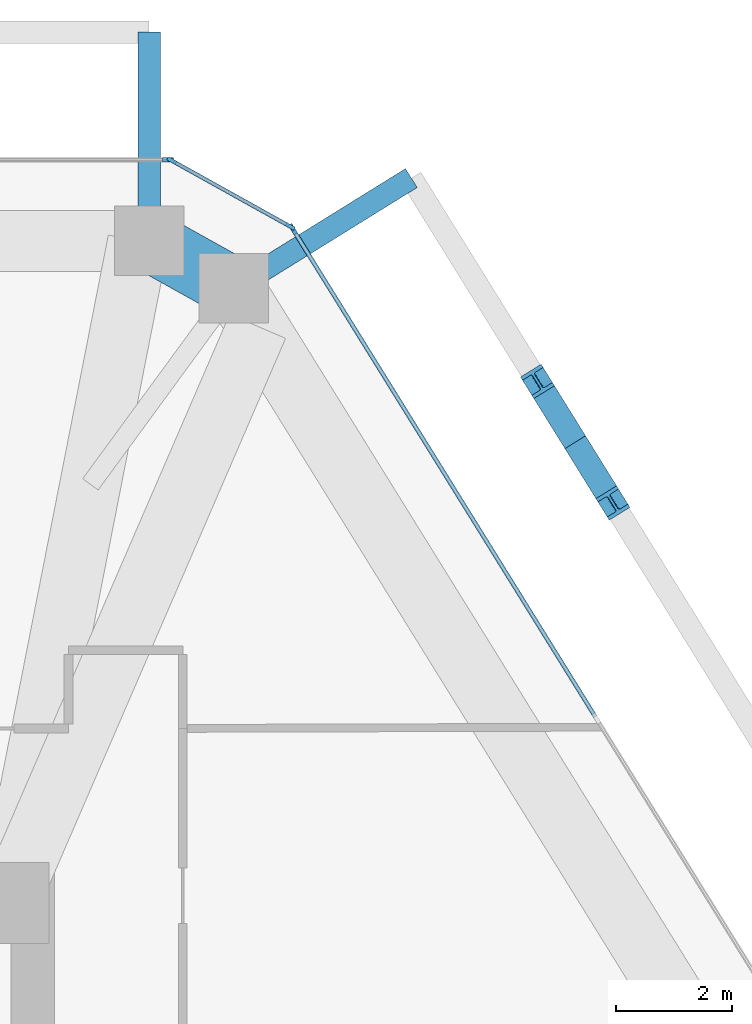
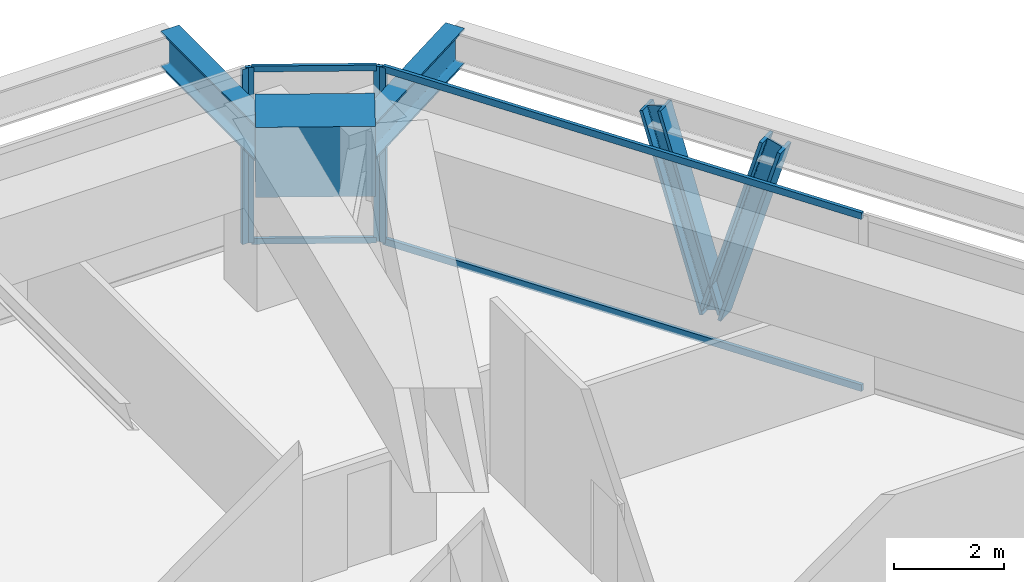
# One storey, part 8 of 14: 10 members, 3 beams, 3 elements without a shape of their own.
"""IFC4 building model written with IfcOpenShell, lengths in metres."""

import ifcopenshell
import ifcopenshell.guid

model = None  # the IFC model being written
_history = None  # IfcOwnerHistory: only IFC2X3 demands one
_inside = {}  # id of a spatial element -> (the spatial element, [elements in it])
_under = {}  # id of a project, library or spatial element -> (it, [spatial elements below it])
_declared = {}  # id of a project -> (the project, [libraries it declares])
_typed = {}  # id of a type object -> (the type object, [elements of that type])
_made_of = {}  # id of a material, layer set ... -> (it, [elements and type objects made of it])


def new_model(schema):
    """Start an empty IFC model of exactly this schema.

    Asked for "IFC4X3", IfcOpenShell would pick the latest addendum, in which some entities
    have other attributes; the version numbers below select the first issue.
    IFC2X3 requires an IfcOwnerHistory on every rooted entity: one is made here for all.
    """
    global model, _history
    if schema == "IFC4X3":
        model = ifcopenshell.file(schema_version=(4, 3, 0, 0))
    else:
        model = ifcopenshell.file(schema=schema)
    _inside.clear()
    _under.clear()
    _declared.clear()
    _typed.clear()
    _made_of.clear()
    _history = None
    if model.schema == "IFC2X3":
        org = make("IfcOrganization", Name="unknown")
        user = make(
            "IfcPersonAndOrganization",
            ThePerson=make("IfcPerson", FamilyName="unknown"),
            TheOrganization=org,
        )
        app = make(
            "IfcApplication",
            ApplicationDeveloper=org,
            Version="unknown",
            ApplicationFullName="unknown",
            ApplicationIdentifier="unknown",
        )
        _history = make(
            "IfcOwnerHistory",
            OwningUser=user,
            OwningApplication=app,
            ChangeAction="ADDED",
            CreationDate=0,
        )
    return model


def make(cls, **values):
    """One entity of the class cls with the attributes given. An attribute that is None is left unset."""
    return model.create_entity(
        cls, **{name: value for name, value in values.items() if value is not None}
    )


def rooted(cls, **values):
    """An entity with a GlobalId (a new one), such as an element, a storey or a relation."""
    return make(cls, GlobalId=ifcopenshell.guid.new(), OwnerHistory=_history, **values)


def si_unit(unit_type, name, prefix=None):
    """IfcSIUnit, for example si_unit("LENGTHUNIT", "METRE", prefix="MILLI")."""
    return make("IfcSIUnit", UnitType=unit_type, Prefix=prefix, Name=name)


def assignment(units):
    """IfcUnitAssignment: the units of a project."""
    return None if units is None else make("IfcUnitAssignment", Units=units)


def point(xyz):
    """IfcCartesianPoint."""
    return None if xyz is None else make("IfcCartesianPoint", Coordinates=xyz)


def direction(xyz):
    """IfcDirection."""
    return None if xyz is None else make("IfcDirection", DirectionRatios=xyz)


def frame(location, z_axis=None, x_axis=None):
    """IfcAxis2Placement3D, a coordinate frame: its origin and axes. An axis left out is left unset."""
    return make(
        "IfcAxis2Placement3D",
        Location=point(location),
        Axis=direction(z_axis),
        RefDirection=direction(x_axis),
    )


def frame_2d(location, x_axis=None):
    """IfcAxis2Placement2D, a coordinate frame in the plane: its origin and x axis."""
    return make(
        "IfcAxis2Placement2D", Location=point(location), RefDirection=direction(x_axis)
    )


def origin():
    """The frame at (0, 0, 0) with its axes left unset."""
    return frame((0.0, 0.0, 0.0))


def origin_2d():
    """The frame at (0, 0) in the plane with its x axis left unset."""
    return frame_2d((0.0, 0.0))


def place(relative_to, where):
    """IfcLocalPlacement: puts the frame where relative to a parent placement (None: the world)."""
    return make(
        "IfcLocalPlacement", PlacementRelTo=relative_to, RelativePlacement=where
    )


def context(
    kind, dimensions, precision=None, world=None, true_north=None, identifier=None
):
    """IfcGeometricRepresentationContext, for example the 3D "Model" context."""
    return make(
        "IfcGeometricRepresentationContext",
        ContextIdentifier=identifier,
        ContextType=kind,
        CoordinateSpaceDimension=dimensions,
        Precision=precision,
        WorldCoordinateSystem=world,
        TrueNorth=true_north,
    )


def subcontext(parent, identifier, kind, view, scale=None):
    """IfcGeometricRepresentationSubContext, for example "Body" below "Model"."""
    return make(
        "IfcGeometricRepresentationSubContext",
        ContextIdentifier=identifier,
        ContextType=kind,
        ParentContext=parent,
        TargetScale=scale,
        TargetView=view,
    )


def project(units=None, contexts=None):
    """IfcProject with its units and contexts."""
    return rooted(
        "IfcProject",
        Name="project",
        RepresentationContexts=contexts,
        UnitsInContext=assignment(units),
    )


def spatial(cls, under=None, at=None, **own):
    """A site, building, storey or space (cls), placed at a placement, below another one or the project."""
    s = rooted(cls, ObjectPlacement=at, **own)
    if under is not None:
        _under.setdefault(under.id(), (under, []))[1].append(s)
    return s


def profile(cls, at=None, kind="AREA", **sizes):
    """A parametric profile (cls). Its sizes go by their IFC names, for example OverallWidth=200.0."""
    return make(cls, ProfileType=kind, Position=at, **sizes)


def rectangle(**sizes):
    """IfcRectangleProfileDef."""
    return profile("IfcRectangleProfileDef", **sizes)


def i_section(**sizes):
    """IfcIShapeProfileDef."""
    return profile("IfcIShapeProfileDef", **sizes)


def extrude(swept, where, along, depth):
    """IfcExtrudedAreaSolid: the profile swept, set in the frame where, extruded along a direction by depth."""
    return make(
        "IfcExtrudedAreaSolid",
        SweptArea=swept,
        Position=where,
        ExtrudedDirection=direction(along),
        Depth=depth,
    )


def shape(context_of_items, identifier, shape_type, items):
    """IfcShapeRepresentation: the items that make up one representation, for example the "Body"."""
    return make(
        "IfcShapeRepresentation",
        ContextOfItems=context_of_items,
        RepresentationIdentifier=identifier,
        RepresentationType=shape_type,
        Items=items,
    )


def source(mapping_origin, context_of_items, identifier, shape_type, items):
    """IfcRepresentationMap: a shape defined once, which mapped items show again and again."""
    return make(
        "IfcRepresentationMap",
        MappingOrigin=mapping_origin,
        MappedRepresentation=shape(context_of_items, identifier, shape_type, items),
    )


def transform(
    local_origin,
    x_axis=None,
    y_axis=None,
    z_axis=None,
    scale=None,
    scale2=None,
    scale3=None,
    uniform=True,
):
    """IfcCartesianTransformationOperator3D, or its non-uniform kind. x_axis, y_axis, z_axis: its Axis1, 2, 3."""
    if uniform:
        return make(
            "IfcCartesianTransformationOperator3D",
            Axis1=direction(x_axis),
            Axis2=direction(y_axis),
            LocalOrigin=point(local_origin),
            Scale=scale,
            Axis3=direction(z_axis),
        )
    return make(
        "IfcCartesianTransformationOperator3DnonUniform",
        Axis1=direction(x_axis),
        Axis2=direction(y_axis),
        LocalOrigin=point(local_origin),
        Scale=scale,
        Axis3=direction(z_axis),
        Scale2=scale2,
        Scale3=scale3,
    )


def mapped(mapping_source, mapping_target):
    """IfcMappedItem: shows the shape of a source again, moved by a transform."""
    return make(
        "IfcMappedItem", MappingSource=mapping_source, MappingTarget=mapping_target
    )


def material(Name=None, Category=None):
    """IfcMaterial."""
    return make("IfcMaterial", Name=Name, Category=Category)


def layer(
    of_material, thickness, ventilated=None, Name=None, Category=None, Priority=None
):
    """IfcMaterialLayer: one layer of a wall or slab, of a material (None: an air gap)."""
    return make(
        "IfcMaterialLayer",
        Material=of_material,
        LayerThickness=thickness,
        IsVentilated=ventilated,
        Name=Name,
        Category=Category,
        Priority=Priority,
    )


def layer_set(layers, Name=None):
    """IfcMaterialLayerSet."""
    return make("IfcMaterialLayerSet", MaterialLayers=layers, LayerSetName=Name)


def material_profile(
    of_material, cross_section, Name=None, Category=None, Priority=None
):
    """IfcMaterialProfile: a cross section and its material."""
    return make(
        "IfcMaterialProfile",
        Name=Name,
        Material=of_material,
        Profile=cross_section,
        Priority=Priority,
        Category=Category,
    )


def profile_set(profiles, Name=None, composite=None):
    """IfcMaterialProfileSet."""
    return make(
        "IfcMaterialProfileSet",
        Name=Name,
        MaterialProfiles=profiles,
        CompositeProfile=composite,
    )


def made_of(thing, what):
    """Note that an element or type object is made of a material, layer set ...; save() writes the relation."""
    if what is not None:
        _made_of.setdefault(what.id(), (what, []))[1].append(thing)
    return thing


def type_object(cls, material=None, **own):
    """A type object (cls), such as IfcWallType, which elements share."""
    return made_of(rooted(cls, **own), material)


def type_shapes(of_type, sources):
    """Give a type object the sources (RepresentationMaps) that its elements show as mapped items."""
    of_type.RepresentationMaps = sources


def element(
    cls,
    number,
    at=None,
    inside=None,
    cuts=None,
    type_object=None,
    material=None,
    context=None,
    identifier="Body",
    shape_type=None,
    held_by="IfcProductDefinitionShape",
    body=None,
    shapes=None,
    **own,
):
    """One element of the class cls, such as IfcWall. Its Tag is "e" and its number.

    at: its placement. inside: the storey or other place that contains it. cuts: it is an
    opening in that element (IfcRelVoidsElement). A single representation is given by context,
    identifier, shape_type and body (its items); several are given by shapes. held_by: the class
    of the entity that holds the representations. save() writes the other relations.
    """
    e = rooted(cls, Tag="e%d" % number, ObjectPlacement=at, **own)
    if body is not None:
        shapes = [shape(context, identifier, shape_type, body)]
    if shapes is not None:
        e.Representation = make(held_by, Representations=shapes)
    if inside is not None:
        _inside.setdefault(inside.id(), (inside, []))[1].append(e)
    if cuts is not None:
        rooted(
            "IfcRelVoidsElement", RelatingBuildingElement=cuts, RelatedOpeningElement=e
        )
    if type_object is not None:
        _typed.setdefault(type_object.id(), (type_object, []))[1].append(e)
    return made_of(e, material)


def aggregate(whole, parts):
    """IfcRelAggregates: a whole, such as a stair, and the parts it consists of."""
    return rooted("IfcRelAggregates", RelatingObject=whole, RelatedObjects=parts)


def save(model, path):
    """Write the relations noted so far, then the file.

    IfcRelAggregates (storeys below a building ...), IfcRelContainedInSpatialStructure (elements
    in a storey), IfcRelDefinesByType, IfcRelAssociatesMaterial and IfcRelDeclares: one each for
    every whole, place, type object, material and project.
    """
    for whole, parts in _under.values():
        aggregate(whole, parts)
    for where, things in _inside.values():
        rooted(
            "IfcRelContainedInSpatialStructure",
            RelatedElements=things,
            RelatingStructure=where,
        )
    for kind, things in _typed.values():
        rooted("IfcRelDefinesByType", RelatedObjects=things, RelatingType=kind)
    for what, things in _made_of.values():
        rooted("IfcRelAssociatesMaterial", RelatedObjects=things, RelatingMaterial=what)
    for by, libraries in _declared.values():
        rooted("IfcRelDeclares", RelatingContext=by, RelatedDefinitions=libraries)
    model.write(path)


model = new_model("IFC4")

# Units and contexts
model_context = context("Model", 3, precision=1e-05, world=origin(), true_north=direction((0.0, 1.0)))
body_context = subcontext(model_context, "Body", "Model", "MODEL_VIEW")
ifc_project = project(units=[si_unit("LENGTHUNIT", "METRE"), si_unit("AREAUNIT", "SQUARE_METRE"), si_unit("VOLUMEUNIT", "CUBIC_METRE"), si_unit("PLANEANGLEUNIT", "RADIAN"), si_unit("MASSUNIT", "GRAM", prefix="KILO")], contexts=[model_context])

# Site, building, storey
site_placement = place(None, origin())
site = spatial("IfcSite", under=ifc_project, at=site_placement, CompositionType="ELEMENT")
building_placement = place(site_placement, origin())
building = spatial("IfcBuilding", under=site, at=building_placement, Name="Durnholm Broadcast Tower", CompositionType="ELEMENT")
storey_placement = place(building_placement, frame((0.0, 0.0, 146.10009765625)))
storey = spatial("IfcBuildingStorey", under=building, at=storey_placement, Name="L40", CompositionType="ELEMENT", Elevation=146.10009765625)

# Beams
ifc_material_1 = material(Name="Steel ASTM A992 Grade 50", Category="steel")
ifc_material_profile_1 = material_profile(ifc_material_1, i_section(OverallWidth=0.385009765625, OverallDepth=0.802978515625, WebThickness=0.023681640625, FlangeThickness=0.0419921875, FilletRadius=0.032958984375, at=origin_2d()), Name="W30X261")
ifc_profile_set_1 = profile_set([ifc_material_profile_1], Name="Steel ASTM A992 Grade 50")
beam_type_1 = type_object("IfcBeamType", Name="BM-EXO-TIE", PredefinedType="USERDEFINED", material=ifc_profile_set_1)
shared_shape_1 = source(origin(), body_context, "Body", "SweptSolid", [
    extrude(i_section(OverallWidth=0.385009765625, OverallDepth=0.802978515625, WebThickness=0.023681640625, FlangeThickness=0.0419921875, FilletRadius=0.032958984375, at=origin_2d()), origin(), (0.0, 0.0, 1.0), 3.4560546875),
])
beam_1_placement = place(storey_placement, frame((12.22998046875, 19.35888671875, 3.12841796875), z_axis=(0.0, 1.0, 0.0), x_axis=(-1.0, 0.0, 0.0)))
element("IfcBeam", 1, at=beam_1_placement, inside=storey, type_object=beam_type_1, Name="L40 exoskeleton stand-off tie bracket F4.1", ObjectType="GIRDER", PredefinedType="USERDEFINED", context=body_context, shape_type="MappedRepresentation", body=[
    mapped(shared_shape_1, transform((0.0, 0.0, 0.0), x_axis=(1.0, 0.0, 0.0), y_axis=(0.0, 1.0, 0.0), z_axis=(0.0, 0.0, 1.0), scale=1.0)),
])
shared_shape_2 = source(origin(), body_context, "Body", "SweptSolid", [
    extrude(i_section(OverallWidth=0.385009765625, OverallDepth=0.802978515625, WebThickness=0.023681640625, FlangeThickness=0.0419921875, FilletRadius=0.032958984375, at=origin_2d()), origin(), (0.0, 0.0, 1.0), 3.455810546875),
])
type_shapes(beam_type_1, [shared_shape_1, shared_shape_2])
beam_2_placement = place(storey_placement, frame((13.814697265625, 18.477294921875, 3.12841796875), z_axis=(0.849807128357, 0.527093772107, 0.0), x_axis=(-0.527093772107, 0.849807128357, 0.0)))
element("IfcBeam", 2, at=beam_2_placement, inside=storey, type_object=beam_type_1, Name="L40 exoskeleton stand-off tie bracket F3.2", ObjectType="GIRDER", PredefinedType="USERDEFINED", context=body_context, shape_type="MappedRepresentation", body=[
    mapped(shared_shape_2, transform((0.0, 0.0, 0.0), x_axis=(1.0, 0.0, 0.0), y_axis=(0.0, 1.0, 0.0), z_axis=(0.0, 0.0, 1.0), scale=1.0)),
])
ifc_material_2 = material(Name="Concrete C70/85", Category="concrete")
ifc_material_profile_2 = material_profile(ifc_material_2, rectangle(XDim=1.050048828125, YDim=1.550048828125, at=origin_2d()), Name="RC1050X1550")
ifc_profile_set_2 = profile_set([ifc_material_profile_2], Name="Concrete C70/85")
beam_type_2 = type_object("IfcBeamType", Name="BM-TG-RC1550", PredefinedType="USERDEFINED", material=ifc_profile_set_2)
shared_shape_3 = source(origin(), body_context, "Body", "SweptSolid", [
    extrude(rectangle(XDim=1.050048828125, YDim=1.550048828125, at=origin_2d()), origin(), (0.0, 0.0, 1.0), 2.17333984375),
])
type_shapes(beam_type_2, [shared_shape_3])
beam_3_placement = place(storey_placement, frame((12.011474609375, 19.336669921875, 3.10498046875), z_axis=(0.873807345975, -0.486272271593, 0.0), x_axis=(0.486272271593, 0.873807345975, 0.0)))
element("IfcBeam", 3, at=beam_3_placement, inside=storey, type_object=beam_type_2, Name="L40 perimeter transfer spandrel girder 06", PredefinedType="SPANDREL", context=body_context, shape_type="MappedRepresentation", body=[
    mapped(shared_shape_3, transform((0.0, 0.0, 0.0), x_axis=(1.0, 0.0, 0.0), y_axis=(0.0, 1.0, 0.0), z_axis=(0.0, 0.0, 1.0), scale=1.0)),
])

# Members
ifc_material_3 = material(Name="Steel ASTM A913 Grade 65", Category="steel")
ifc_material_profile_3 = material_profile(ifc_material_3, i_section(OverallWidth=0.41845703125, OverallDepth=0.455078125, WebThickness=0.0419921875, FlangeThickness=0.067626953125, FilletRadius=0.030517578125, at=origin_2d()), Name="W14X370")
ifc_profile_set_3 = profile_set([ifc_material_profile_3], Name="Steel ASTM A913 Grade 65")
member_type_1 = type_object("IfcMemberType", Name="STL-DG-W14X370", PredefinedType="BRACE", material=ifc_profile_set_3)
shared_shape_4 = source(origin(), body_context, "Body", "SweptSolid", [
    extrude(i_section(OverallWidth=0.41845703125, OverallDepth=0.455078125, WebThickness=0.0419921875, FlangeThickness=0.067626953125, FilletRadius=0.030517578125, at=origin_2d()), origin(), (0.0, 0.0, 1.0), 4.30078125),
])
member_1_placement = place(storey_placement, frame((19.576416015625, 15.74462890625, -0.991455078125), z_axis=(-0.151285016279, 0.243815814229, 0.957949211901), x_axis=(-0.849716575602, -0.52723973783, 0.0)))
element("IfcMember", 4, at=member_1_placement, inside=storey, type_object=member_type_1, Name="L40 stand-off diagrid brace F3.D2.2", PredefinedType="BRACE", context=body_context, shape_type="MappedRepresentation", body=[
    mapped(shared_shape_4, transform((0.0, 0.0, 0.0), x_axis=(1.0, 0.0, 0.0), y_axis=(0.0, 1.0, 0.0), z_axis=(0.0, 0.0, 1.0), scale=1.0)),
])
shared_shape_5 = source(origin(), body_context, "Body", "SweptSolid", [
    extrude(i_section(OverallWidth=0.41845703125, OverallDepth=0.455078125, WebThickness=0.0419921875, FlangeThickness=0.067626953125, FilletRadius=0.030517578125, at=origin_2d()), origin(), (0.0, 0.0, 1.0), 4.300537109375),
])
type_shapes(member_type_1, [shared_shape_4, shared_shape_5])
member_2_placement = place(storey_placement, frame((19.576416015625, 15.74462890625, -0.991455078125), z_axis=(0.151176169426, -0.243766605902, 0.957978918163), x_axis=(0.849838868368, 0.527042595823, 0.0)))
element("IfcMember", 5, at=member_2_placement, inside=storey, type_object=member_type_1, Name="L40 stand-off diagrid brace F3.D2.1", PredefinedType="BRACE", context=body_context, shape_type="MappedRepresentation", body=[
    mapped(shared_shape_5, transform((0.0, 0.0, 0.0), x_axis=(1.0, 0.0, 0.0), y_axis=(0.0, 1.0, 0.0), z_axis=(0.0, 0.0, 1.0), scale=1.0)),
])

# Curtain wall, members
ifc_material_4 = material(Name="Aluminium and Solar Control IGU", Category="aluminium")
ifc_layer_1 = layer(ifc_material_4, 0.1650390625)
ifc_layer_set_1 = layer_set([ifc_layer_1], Name="Aluminium and Solar Control IGU")
curtain_wall_type_1 = type_object("IfcCurtainWallType", Name="CW-SYS-5", PredefinedType="NOTDEFINED", material=ifc_layer_set_1)
curtain_wall_1_placement = place(storey_placement, origin())
curtain_wall_1 = element("IfcCurtainWall", 6, at=curtain_wall_1_placement, inside=storey, type_object=curtain_wall_type_1, Name="L40 curtain wall CW-CORNER CW-L40-CRN-05", PredefinedType="NOTDEFINED")
ifc_material_5 = material(Name="Aluminium 6063-T6", Category="aluminium")
ifc_material_profile_4 = material_profile(ifc_material_5, rectangle(XDim=0.06494140625, YDim=0.1298828125, at=origin_2d()), Name="CWT65X130")
ifc_profile_set_4 = profile_set([ifc_material_profile_4], Name="Aluminium 6063-T6")
member_type_2 = type_object("IfcMemberType", Name="CW-SYS-5-TRN", PredefinedType="USERDEFINED", material=ifc_profile_set_4)
shared_shape_6 = source(origin(), body_context, "Body", "SweptSolid", [
    extrude(rectangle(XDim=0.06494140625, YDim=0.1298828125, at=origin_2d()), origin(), (0.0, 0.0, 1.0), 2.270263671875),
])
type_shapes(member_type_2, [shared_shape_6])
member_3_placement = place(storey_placement, frame((12.64990234375, 20.58349609375, 0.032470703125), z_axis=(0.873786708897, -0.486309353555, 0.0), x_axis=(0.486309353555, 0.873786708897, 0.0)))
member_3 = element("IfcMember", 7, at=member_3_placement, type_object=member_type_2, Name="CW-CORNER transom 1.1", ObjectType="TRANSOM", PredefinedType="USERDEFINED", context=body_context, shape_type="MappedRepresentation", body=[
    mapped(shared_shape_6, transform((0.0, 0.0, 0.0), x_axis=(1.0, 0.0, 0.0), y_axis=(0.0, 1.0, 0.0), z_axis=(0.0, 0.0, 1.0), scale=1.0)),
])
member_4_placement = place(storey_placement, frame((12.64990234375, 20.58349609375, 3.847412109375), z_axis=(0.873786708897, -0.486309353555, 0.0), x_axis=(0.486309353555, 0.873786708897, 0.0)))
member_4 = element("IfcMember", 8, at=member_4_placement, type_object=member_type_2, Name="CW-CORNER transom 1.2", ObjectType="TRANSOM", PredefinedType="USERDEFINED", context=body_context, shape_type="MappedRepresentation", body=[
    mapped(shared_shape_6, transform((0.0, 0.0, 0.0), x_axis=(1.0, 0.0, 0.0), y_axis=(0.0, 1.0, 0.0), z_axis=(0.0, 0.0, 1.0), scale=1.0)),
])

ifc_layer_2 = layer(ifc_material_4, 0.18994140625)
ifc_layer_set_2 = layer_set([ifc_layer_2], Name="Aluminium and Solar Control IGU")
curtain_wall_type_2 = type_object("IfcCurtainWallType", Name="CW-SYS-3", PredefinedType="NOTDEFINED", material=ifc_layer_set_2)
curtain_wall_2_placement = place(storey_placement, origin())
curtain_wall_2 = element("IfcCurtainWall", 9, at=curtain_wall_2_placement, inside=storey, type_object=curtain_wall_type_2, Name="L40 curtain wall CW-Z12-VIS CW-L40-F06", PredefinedType="NOTDEFINED")
ifc_material_profile_5 = material_profile(ifc_material_5, rectangle(XDim=0.070068359375, YDim=0.14990234375, at=origin_2d()), Name="CWT70X150")
ifc_profile_set_5 = profile_set([ifc_material_profile_5], Name="Aluminium 6063-T6")
member_type_3 = type_object("IfcMemberType", Name="CW-SYS-3-TRN", PredefinedType="USERDEFINED", material=ifc_profile_set_5)
shared_shape_7 = source(origin(), body_context, "Body", "SweptSolid", [
    extrude(rectangle(XDim=0.070068359375, YDim=0.14990234375, at=origin_2d()), origin(), (0.0, 0.0, 1.0), 9.858642578125),
])
type_shapes(member_type_3, [shared_shape_7])
member_5_placement = place(storey_placement, frame((14.727294921875, 19.388427734375, 0.034912109375), z_axis=(0.527102081419, -0.849801974441, 0.0), x_axis=(0.849801974441, 0.527102081419, 0.0)))
member_5 = element("IfcMember", 10, at=member_5_placement, type_object=member_type_3, Name="CW-Z12-VIS transom 1.1", ObjectType="TRANSOM", PredefinedType="USERDEFINED", context=body_context, shape_type="MappedRepresentation", body=[
    mapped(shared_shape_7, transform((0.0, 0.0, 0.0), x_axis=(1.0, 0.0, 0.0), y_axis=(0.0, 1.0, 0.0), z_axis=(0.0, 0.0, 1.0), scale=1.0)),
])
member_6_placement = place(storey_placement, frame((14.727294921875, 19.388427734375, 3.844970703125), z_axis=(0.527102081419, -0.849801974441, 0.0), x_axis=(0.849801974441, 0.527102081419, 0.0)))
member_6 = element("IfcMember", 11, at=member_6_placement, type_object=member_type_3, Name="CW-Z12-VIS transom 1.2", ObjectType="TRANSOM", PredefinedType="USERDEFINED", context=body_context, shape_type="MappedRepresentation", body=[
    mapped(shared_shape_7, transform((0.0, 0.0, 0.0), x_axis=(1.0, 0.0, 0.0), y_axis=(0.0, 1.0, 0.0), z_axis=(0.0, 0.0, 1.0), scale=1.0)),
])

# Member
ifc_material_profile_6 = material_profile(ifc_material_5, rectangle(XDim=0.06494140625, YDim=0.1650390625, at=origin_2d()), Name="CWM65X165")
ifc_profile_set_6 = profile_set([ifc_material_profile_6], Name="Aluminium 6063-T6")
member_type_4 = type_object("IfcMemberType", Name="CW-SYS-5-MUL", PredefinedType="MULLION", material=ifc_profile_set_6)
shared_shape_8 = source(origin(), body_context, "Body", "SweptSolid", [
    extrude(rectangle(XDim=0.06494140625, YDim=0.1650390625, at=origin_2d()), origin(), (0.0, 0.0, 1.0), 3.8798828125),
])
type_shapes(member_type_4, [shared_shape_8])
member_7_placement = place(storey_placement, frame((12.62158203125, 20.59912109375, 0.0), z_axis=(0.0, 0.0, 1.0), x_axis=(0.486244224192, 0.873822953715, 0.0)))
member_7 = element("IfcMember", 12, at=member_7_placement, type_object=member_type_4, Name="CW-CORNER mullion 1", PredefinedType="MULLION", context=body_context, shape_type="MappedRepresentation", body=[
    mapped(shared_shape_8, transform((0.0, 0.0, 0.0), x_axis=(1.0, 0.0, 0.0), y_axis=(0.0, 1.0, 0.0), z_axis=(0.0, 0.0, 1.0), scale=1.0)),
])

member_8_placement = place(storey_placement, frame((14.662109375, 19.4638671875, 0.0), z_axis=(0.0, 0.0, 1.0), x_axis=(0.486244224192, 0.873822953715, 0.0)))
member_8 = element("IfcMember", 13, at=member_8_placement, type_object=member_type_4, Name="CW-CORNER mullion 2", PredefinedType="MULLION", context=body_context, shape_type="MappedRepresentation", body=[
    mapped(shared_shape_8, transform((0.0, 0.0, 0.0), x_axis=(1.0, 0.0, 0.0), y_axis=(0.0, 1.0, 0.0), z_axis=(0.0, 0.0, 1.0), scale=1.0)),
])

aggregate(curtain_wall_1, [member_7, member_8, member_3, member_4])

# Curtain wall, member
curtain_wall_3_placement = place(storey_placement, origin())
curtain_wall_3 = element("IfcCurtainWall", 14, at=curtain_wall_3_placement, inside=storey, type_object=curtain_wall_type_2, Name="L40 curtain wall CW-Z12-VIS CW-L40-F04", PredefinedType="NOTDEFINED")
ifc_material_profile_7 = material_profile(ifc_material_5, rectangle(XDim=0.070068359375, YDim=0.18994140625, at=origin_2d()), Name="CWM70X190")
ifc_profile_set_7 = profile_set([ifc_material_profile_7], Name="Aluminium 6063-T6")
member_type_5 = type_object("IfcMemberType", Name="CW-SYS-3-MUL", PredefinedType="MULLION", material=ifc_profile_set_7)
shared_shape_9 = source(origin(), body_context, "Body", "SweptSolid", [
    extrude(rectangle(XDim=0.070068359375, YDim=0.18994140625, at=origin_2d()), origin(), (0.0, 0.0, 1.0), 3.8798828125),
])
type_shapes(member_type_5, [shared_shape_9])
member_9_placement = place(storey_placement, frame((12.55810546875, 20.614990234375, 0.0), z_axis=(0.0, 0.0, 1.0), x_axis=(0.0, 1.0, 0.0)))
member_9 = element("IfcMember", 15, at=member_9_placement, type_object=member_type_5, Name="CW-Z12-VIS mullion 3", PredefinedType="MULLION", context=body_context, shape_type="MappedRepresentation", body=[
    mapped(shared_shape_9, transform((0.0, 0.0, 0.0), x_axis=(1.0, 0.0, 0.0), y_axis=(0.0, 1.0, 0.0), z_axis=(0.0, 0.0, 1.0), scale=1.0)),
])
aggregate(curtain_wall_3, [member_9])

# Member
member_10_placement = place(storey_placement, frame((14.708740234375, 19.418212890625, 0.0), z_axis=(0.0, 0.0, 1.0), x_axis=(0.849799925229, 0.527105385176, 0.0)))
member_10 = element("IfcMember", 16, at=member_10_placement, type_object=member_type_5, Name="CW-Z12-VIS mullion 1", PredefinedType="MULLION", context=body_context, shape_type="MappedRepresentation", body=[
    mapped(shared_shape_9, transform((0.0, 0.0, 0.0), x_axis=(1.0, 0.0, 0.0), y_axis=(0.0, 1.0, 0.0), z_axis=(0.0, 0.0, 1.0), scale=1.0)),
])

aggregate(curtain_wall_2, [member_10, member_5, member_6])

save(model, "model.ifc")
